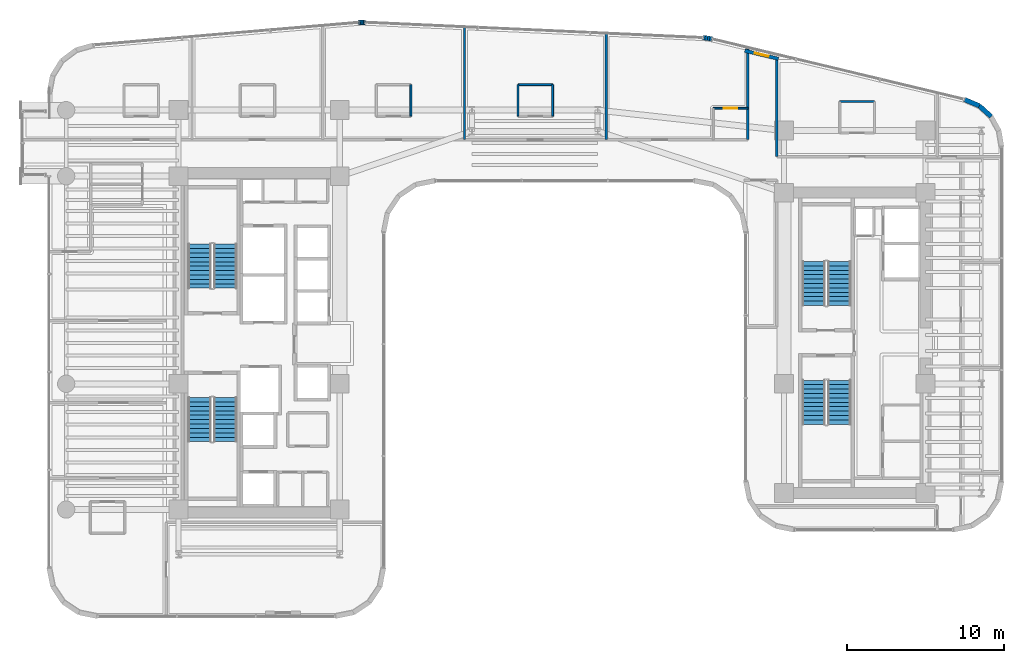
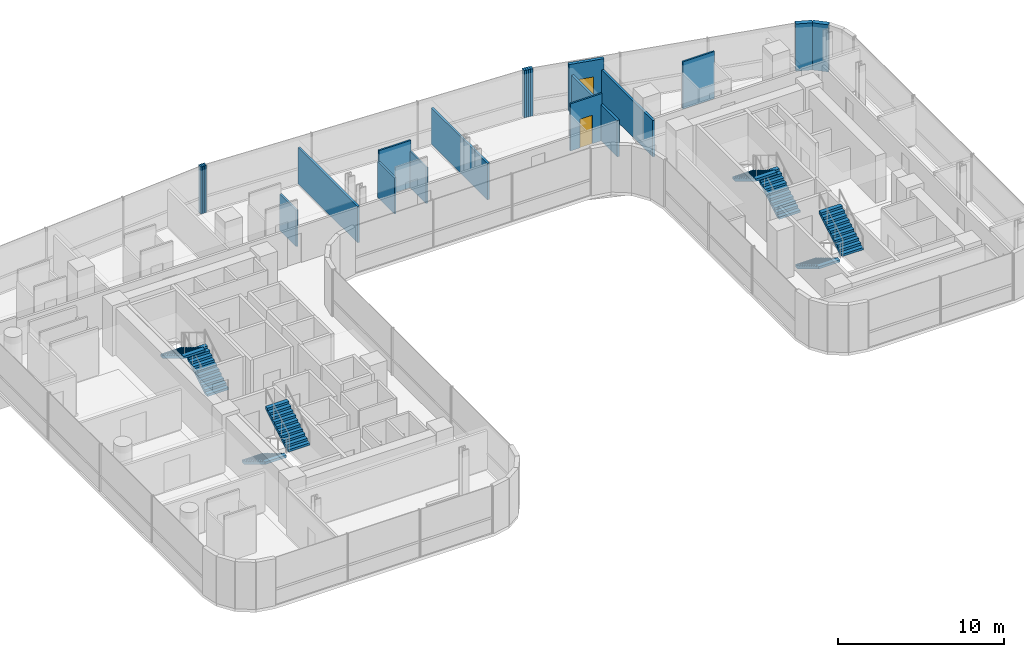
# One storey, part 31 of 35: 21 walls, 8 stair flights, 1 door, 1 window, 2 openings, 4 elements without a shape of their own.
"""IFC4 building model written with IfcOpenShell, lengths in metres."""

import ifcopenshell
import ifcopenshell.guid

model = None  # the IFC model being written
_history = None  # IfcOwnerHistory: only IFC2X3 demands one
_inside = {}  # id of a spatial element -> (the spatial element, [elements in it])
_under = {}  # id of a project, library or spatial element -> (it, [spatial elements below it])
_declared = {}  # id of a project -> (the project, [libraries it declares])
_typed = {}  # id of a type object -> (the type object, [elements of that type])
_made_of = {}  # id of a material, layer set ... -> (it, [elements and type objects made of it])


def new_model(schema):
    """Start an empty IFC model of exactly this schema.

    Asked for "IFC4X3", IfcOpenShell would pick the latest addendum, in which some entities
    have other attributes; the version numbers below select the first issue.
    IFC2X3 requires an IfcOwnerHistory on every rooted entity: one is made here for all.
    """
    global model, _history
    if schema == "IFC4X3":
        model = ifcopenshell.file(schema_version=(4, 3, 0, 0))
    else:
        model = ifcopenshell.file(schema=schema)
    _inside.clear()
    _under.clear()
    _declared.clear()
    _typed.clear()
    _made_of.clear()
    _history = None
    if model.schema == "IFC2X3":
        org = make("IfcOrganization", Name="unknown")
        user = make(
            "IfcPersonAndOrganization",
            ThePerson=make("IfcPerson", FamilyName="unknown"),
            TheOrganization=org,
        )
        app = make(
            "IfcApplication",
            ApplicationDeveloper=org,
            Version="unknown",
            ApplicationFullName="unknown",
            ApplicationIdentifier="unknown",
        )
        _history = make(
            "IfcOwnerHistory",
            OwningUser=user,
            OwningApplication=app,
            ChangeAction="ADDED",
            CreationDate=0,
        )
    return model


def make(cls, **values):
    """One entity of the class cls with the attributes given. An attribute that is None is left unset."""
    return model.create_entity(
        cls, **{name: value for name, value in values.items() if value is not None}
    )


def rooted(cls, **values):
    """An entity with a GlobalId (a new one), such as an element, a storey or a relation."""
    return make(cls, GlobalId=ifcopenshell.guid.new(), OwnerHistory=_history, **values)


def si_unit(unit_type, name, prefix=None):
    """IfcSIUnit, for example si_unit("LENGTHUNIT", "METRE", prefix="MILLI")."""
    return make("IfcSIUnit", UnitType=unit_type, Prefix=prefix, Name=name)


def assignment(units):
    """IfcUnitAssignment: the units of a project."""
    return None if units is None else make("IfcUnitAssignment", Units=units)


def point(xyz):
    """IfcCartesianPoint."""
    return None if xyz is None else make("IfcCartesianPoint", Coordinates=xyz)


def direction(xyz):
    """IfcDirection."""
    return None if xyz is None else make("IfcDirection", DirectionRatios=xyz)


def frame(location, z_axis=None, x_axis=None):
    """IfcAxis2Placement3D, a coordinate frame: its origin and axes. An axis left out is left unset."""
    return make(
        "IfcAxis2Placement3D",
        Location=point(location),
        Axis=direction(z_axis),
        RefDirection=direction(x_axis),
    )


def frame_2d(location, x_axis=None):
    """IfcAxis2Placement2D, a coordinate frame in the plane: its origin and x axis."""
    return make(
        "IfcAxis2Placement2D", Location=point(location), RefDirection=direction(x_axis)
    )


def origin():
    """The frame at (0, 0, 0) with its axes left unset."""
    return frame((0.0, 0.0, 0.0))


def place(relative_to, where):
    """IfcLocalPlacement: puts the frame where relative to a parent placement (None: the world)."""
    return make(
        "IfcLocalPlacement", PlacementRelTo=relative_to, RelativePlacement=where
    )


def context(
    kind, dimensions, precision=None, world=None, true_north=None, identifier=None
):
    """IfcGeometricRepresentationContext, for example the 3D "Model" context."""
    return make(
        "IfcGeometricRepresentationContext",
        ContextIdentifier=identifier,
        ContextType=kind,
        CoordinateSpaceDimension=dimensions,
        Precision=precision,
        WorldCoordinateSystem=world,
        TrueNorth=true_north,
    )


def subcontext(parent, identifier, kind, view, scale=None):
    """IfcGeometricRepresentationSubContext, for example "Body" below "Model"."""
    return make(
        "IfcGeometricRepresentationSubContext",
        ContextIdentifier=identifier,
        ContextType=kind,
        ParentContext=parent,
        TargetScale=scale,
        TargetView=view,
    )


def project(units=None, contexts=None):
    """IfcProject with its units and contexts."""
    return rooted(
        "IfcProject",
        Name="project",
        RepresentationContexts=contexts,
        UnitsInContext=assignment(units),
    )


def spatial(cls, under=None, at=None, **own):
    """A site, building, storey or space (cls), placed at a placement, below another one or the project."""
    s = rooted(cls, ObjectPlacement=at, **own)
    if under is not None:
        _under.setdefault(under.id(), (under, []))[1].append(s)
    return s


def polyline(points):
    """IfcPolyline through the points."""
    return make("IfcPolyline", Points=[point(p) for p in points])


def profile(cls, at=None, kind="AREA", **sizes):
    """A parametric profile (cls). Its sizes go by their IFC names, for example OverallWidth=200.0."""
    return make(cls, ProfileType=kind, Position=at, **sizes)


def rectangle(**sizes):
    """IfcRectangleProfileDef."""
    return profile("IfcRectangleProfileDef", **sizes)


def outline(outer, holes=None, kind="AREA"):
    """IfcArbitraryClosedProfileDef: a profile drawn as a closed curve; with holes, ...WithVoids."""
    if holes is None:
        return make("IfcArbitraryClosedProfileDef", ProfileType=kind, OuterCurve=outer)
    return make(
        "IfcArbitraryProfileDefWithVoids",
        ProfileType=kind,
        OuterCurve=outer,
        InnerCurves=holes,
    )


def extrude(swept, where, along, depth):
    """IfcExtrudedAreaSolid: the profile swept, set in the frame where, extruded along a direction by depth."""
    return make(
        "IfcExtrudedAreaSolid",
        SweptArea=swept,
        Position=where,
        ExtrudedDirection=direction(along),
        Depth=depth,
    )


def shape(context_of_items, identifier, shape_type, items):
    """IfcShapeRepresentation: the items that make up one representation, for example the "Body"."""
    return make(
        "IfcShapeRepresentation",
        ContextOfItems=context_of_items,
        RepresentationIdentifier=identifier,
        RepresentationType=shape_type,
        Items=items,
    )


def material(Name=None, Category=None):
    """IfcMaterial."""
    return make("IfcMaterial", Name=Name, Category=Category)


def layer(
    of_material, thickness, ventilated=None, Name=None, Category=None, Priority=None
):
    """IfcMaterialLayer: one layer of a wall or slab, of a material (None: an air gap)."""
    return make(
        "IfcMaterialLayer",
        Material=of_material,
        LayerThickness=thickness,
        IsVentilated=ventilated,
        Name=Name,
        Category=Category,
        Priority=Priority,
    )


def layer_set(layers, Name=None):
    """IfcMaterialLayerSet."""
    return make("IfcMaterialLayerSet", MaterialLayers=layers, LayerSetName=Name)


def made_of(thing, what):
    """Note that an element or type object is made of a material, layer set ...; save() writes the relation."""
    if what is not None:
        _made_of.setdefault(what.id(), (what, []))[1].append(thing)
    return thing


def type_object(cls, material=None, **own):
    """A type object (cls), such as IfcWallType, which elements share."""
    return made_of(rooted(cls, **own), material)


def element(
    cls,
    number,
    at=None,
    inside=None,
    cuts=None,
    type_object=None,
    material=None,
    context=None,
    identifier="Body",
    shape_type=None,
    held_by="IfcProductDefinitionShape",
    body=None,
    shapes=None,
    **own,
):
    """One element of the class cls, such as IfcWall. Its Tag is "e" and its number.

    at: its placement. inside: the storey or other place that contains it. cuts: it is an
    opening in that element (IfcRelVoidsElement). A single representation is given by context,
    identifier, shape_type and body (its items); several are given by shapes. held_by: the class
    of the entity that holds the representations. save() writes the other relations.
    """
    e = rooted(cls, Tag="e%d" % number, ObjectPlacement=at, **own)
    if body is not None:
        shapes = [shape(context, identifier, shape_type, body)]
    if shapes is not None:
        e.Representation = make(held_by, Representations=shapes)
    if inside is not None:
        _inside.setdefault(inside.id(), (inside, []))[1].append(e)
    if cuts is not None:
        rooted(
            "IfcRelVoidsElement", RelatingBuildingElement=cuts, RelatedOpeningElement=e
        )
    if type_object is not None:
        _typed.setdefault(type_object.id(), (type_object, []))[1].append(e)
    return made_of(e, material)


def fill(opening, filler):
    """IfcRelFillsElement: the door or window that sits in an opening."""
    return rooted(
        "IfcRelFillsElement",
        RelatingOpeningElement=opening,
        RelatedBuildingElement=filler,
    )


def aggregate(whole, parts):
    """IfcRelAggregates: a whole, such as a stair, and the parts it consists of."""
    return rooted("IfcRelAggregates", RelatingObject=whole, RelatedObjects=parts)


def save(model, path):
    """Write the relations noted so far, then the file.

    IfcRelAggregates (storeys below a building ...), IfcRelContainedInSpatialStructure (elements
    in a storey), IfcRelDefinesByType, IfcRelAssociatesMaterial and IfcRelDeclares: one each for
    every whole, place, type object, material and project.
    """
    for whole, parts in _under.values():
        aggregate(whole, parts)
    for where, things in _inside.values():
        rooted(
            "IfcRelContainedInSpatialStructure",
            RelatedElements=things,
            RelatingStructure=where,
        )
    for kind, things in _typed.values():
        rooted("IfcRelDefinesByType", RelatedObjects=things, RelatingType=kind)
    for what, things in _made_of.values():
        rooted("IfcRelAssociatesMaterial", RelatedObjects=things, RelatingMaterial=what)
    for by, libraries in _declared.values():
        rooted("IfcRelDeclares", RelatingContext=by, RelatedDefinitions=libraries)
    model.write(path)


model = new_model("IFC4")

# Units and contexts
model_context = context("Model", 3, precision=1e-05, world=origin(), true_north=direction((0.0, 1.0)))
body_context = subcontext(model_context, "Body", "Model", "MODEL_VIEW")
ifc_project = project(units=[si_unit("LENGTHUNIT", "METRE"), si_unit("AREAUNIT", "SQUARE_METRE"), si_unit("VOLUMEUNIT", "CUBIC_METRE"), si_unit("PLANEANGLEUNIT", "RADIAN"), si_unit("MASSUNIT", "GRAM", prefix="KILO")], contexts=[model_context])

# Site, building, storey
site_placement = place(None, origin())
site = spatial("IfcSite", under=ifc_project, at=site_placement, CompositionType="ELEMENT")
building_placement = place(site_placement, origin())
building = spatial("IfcBuilding", under=site, at=building_placement, Name="Valdorenza Pilgrim Sanctuary Tower", CompositionType="ELEMENT")
storey_placement = place(building_placement, frame((0.0, 0.0, 116.800048828125)))
storey = spatial("IfcBuildingStorey", under=building, at=storey_placement, Name="L29", CompositionType="ELEMENT", Elevation=116.800048828125)

# Walls
ifc_material_1 = material(Name="Acoustic twin-stud gypsum partition", Category="gypsum")
ifc_layer_1 = layer(ifc_material_1, 0.159912109375, Name="Acoustic twin-stud gypsum partition")
ifc_layer_set_1 = layer_set([ifc_layer_1], Name="Acoustic twin-stud gypsum partition")
wall_type_1 = type_object("IfcWallType", Name="WAL-COR-160", PredefinedType="PARTITIONING", material=ifc_layer_set_1)
wall_1_placement = place(storey_placement, frame((13.550048828125, 12.919921875, 0.0), z_axis=(0.0, 0.0, 1.0), x_axis=(0.0, 1.0, 0.0)))
element("IfcWall", 1, at=wall_1_placement, inside=storey, type_object=wall_type_1, Name="L29 North Band East Closure", PredefinedType="PARTITIONING", context=body_context, shape_type="SweptSolid", body=[
    extrude(rectangle(XDim=5.856689453125, YDim=0.159912109375, at=frame_2d((2.92822265625, 0.0))), origin(), (0.0, 0.0, 1.0), 2.666015625),
])
wall_2_placement = place(storey_placement, frame((15.39990234375, 11.85009765625, 0.0), z_axis=(0.0, 0.0, 1.0), x_axis=(0.0, 1.0, 0.0)))
element("IfcWall", 2, at=wall_2_placement, inside=storey, type_object=wall_type_1, Name="L29 Wing B North West Wall", PredefinedType="PARTITIONING", context=body_context, shape_type="SweptSolid", body=[
    extrude(rectangle(XDim=6.14990234375, YDim=0.159912109375, at=frame_2d((3.074951171875, 0.0))), origin(), (0.0, 0.0, 1.0), 2.666015625),
])
ifc_material_2 = material(Name="Honed travertine limestone", Category="masonry")
ifc_layer_2 = layer(ifc_material_2, 0.300048828125, Name="Honed travertine limestone")
ifc_layer_set_2 = layer_set([ifc_layer_2], Name="Honed travertine limestone")
wall_type_2 = type_object("IfcWallType", Name="WAL-EXT-300", PredefinedType="SOLIDWALL", material=ifc_layer_set_2)
wall_3_placement = place(storey_placement, frame((-11.199462890625, 20.37255859375, 0.0), z_axis=(0.0, 0.0, 1.0), x_axis=(0.997567332166, 0.069709524416, 0.0)))
element("IfcWall", 3, at=wall_3_placement, inside=storey, type_object=wall_type_2, Name="L29 Rounded Wind-Corner Stone Pier 7", PredefinedType="SOLIDWALL", context=body_context, shape_type="SweptSolid", body=[
    extrude(rectangle(XDim=0.1015625, YDim=0.300048828125, at=frame_2d((0.05078125, 0.0))), origin(), (0.0, 0.0, 1.0), 3.4599609375),
])
wall_4_placement = place(storey_placement, frame((-11.09814453125, 20.379638671875, 0.0), z_axis=(0.0, 0.0, 1.0), x_axis=(0.999334672785, 0.03647206835, 0.0)))
element("IfcWall", 4, at=wall_4_placement, inside=storey, type_object=wall_type_2, Name="L29 Rounded Wind-Corner Stone Pier 8", PredefinedType="SOLIDWALL", context=body_context, shape_type="SweptSolid", body=[
    extrude(rectangle(XDim=0.100341796875, YDim=0.300048828125, at=frame_2d((0.05029296875, 0.0))), origin(), (0.0, 0.0, 1.0), 3.4599609375),
])
wall_5_placement = place(storey_placement, frame((-10.997802734375, 20.38330078125, 0.0), z_axis=(0.0, 0.0, 1.0), x_axis=(0.999997054401, 0.002427177317, 0.0)))
element("IfcWall", 5, at=wall_5_placement, inside=storey, type_object=wall_type_2, Name="L29 Rounded Wind-Corner Stone Pier 9", PredefinedType="SOLIDWALL", context=body_context, shape_type="SweptSolid", body=[
    extrude(rectangle(XDim=0.1005859375, YDim=0.300048828125, at=frame_2d((0.05029296875, 0.0))), origin(), (0.0, 0.0, 1.0), 3.4599609375),
])
wall_6_placement = place(storey_placement, frame((-10.897216796875, 20.383544921875, 0.0), z_axis=(0.0, 0.0, 1.0), x_axis=(0.999584209171, -0.02883415988, 0.0)))
element("IfcWall", 6, at=wall_6_placement, inside=storey, type_object=wall_type_2, Name="L29 Rounded Wind-Corner Stone Pier 10", PredefinedType="SOLIDWALL", context=body_context, shape_type="SweptSolid", body=[
    extrude(rectangle(XDim=0.1015625, YDim=0.300048828125, at=frame_2d((0.05078125, 0.0))), origin(), (0.0, 0.0, 1.0), 3.4599609375),
])
wall_7_placement = place(storey_placement, frame((10.68994140625, 19.404052734375, 0.0), z_axis=(0.0, 0.0, 1.0), x_axis=(0.99758310784, -0.069483400546, 0.0)))
element("IfcWall", 7, at=wall_7_placement, inside=storey, type_object=wall_type_2, Name="L29 Rounded Wind-Corner Stone Pier 12", PredefinedType="SOLIDWALL", context=body_context, shape_type="SweptSolid", body=[
    extrude(rectangle(XDim=0.1474609375, YDim=0.300048828125, at=frame_2d((0.07373046875, 0.0))), origin(), (0.0, 0.0, 1.0), 3.4599609375),
])
for number, where, z_axis, x_axis, name in (
    (8, (10.837158203125, 19.393798828125, 0.0), (0.0, 0.0, 1.0), (0.993173334962, -0.116647874912, 0.0), "L29 Rounded Wind-Corner Stone Pier 13"),
    (9, (10.982666015625, 19.376708984375, 0.0), (0.0, 0.0, 1.0), (0.986573494681, -0.163317909592, 0.0), "L29 Rounded Wind-Corner Stone Pier 14"),
):
    element("IfcWall", number, at=place(storey_placement, frame(where, z_axis=z_axis, x_axis=x_axis)), inside=storey, type_object=wall_type_2, Name=name, PredefinedType="SOLIDWALL", context=body_context, shape_type="SweptSolid", body=[
        extrude(rectangle(XDim=0.146484375, YDim=0.300048828125, at=frame_2d((0.0732421875, 0.0))), origin(), (0.0, 0.0, 1.0), 3.4599609375),
    ])
wall_8_placement = place(storey_placement, frame((11.127197265625, 19.352783203125, 0.0), z_axis=(0.0, 0.0, 1.0), x_axis=(0.978019841688, -0.208511844421, 0.0)))
element("IfcWall", 10, at=wall_8_placement, inside=storey, type_object=wall_type_2, Name="L29 Rounded Wind-Corner Stone Pier 15", PredefinedType="SOLIDWALL", context=body_context, shape_type="SweptSolid", body=[
    extrude(rectangle(XDim=0.1474609375, YDim=0.300048828125, at=frame_2d((0.07373046875, 0.0))), origin(), (0.0, 0.0, 1.0), 3.4599609375),
])

# Wall, opening, window
wall_9_placement = place(storey_placement, frame((13.355224609375, 18.576416015625, 0.0), z_axis=(0.0, 0.0, 1.0), x_axis=(0.97252211384, -0.232810519721, 0.0)))
wall_9 = element("IfcWall", 11, at=wall_9_placement, inside=storey, type_object=wall_type_2, Name="L29 Operable Ventilation Sash Jamb Pier", PredefinedType="SOLIDWALL", context=body_context, shape_type="SweptSolid", body=[
    extrude(rectangle(XDim=2.2001953125, YDim=0.219970703125, at=frame_2d((1.10009765625, 0.0))), origin(), (0.0, 0.0, 1.0), 3.4599609375),
])
opening_1_placement = place(wall_9_placement, frame((0.64990234375, 0.0, 0.949951171875)))
opening_1 = element("IfcOpeningElement", 12, at=opening_1_placement, cuts=wall_9, Name="Opening WN-OP1", PredefinedType="OPENING", context=body_context, shape_type="SweptSolid", body=[
    extrude(rectangle(XDim=0.89990234375, YDim=1.300048828125, at=frame_2d((0.449951171875, 0.64990234375))), frame((0.0, 0.125, 0.0), z_axis=(0.0, -1.0, 0.0), x_axis=(1.0, 0.0, 0.0)), (0.0, 0.0, 1.0), 0.249755859375),
])
ifc_material_3 = material(Name="Ceramic-fritted low-E IGU glazing", Category="glass")
window_type = type_object("IfcWindowType", Name="WIN-OPN-900", PartitioningType="SINGLE_PANEL", PredefinedType="WINDOW", material=ifc_material_3)
window_placement = place(opening_1_placement, origin())
window = element("IfcWindow", 13, at=window_placement, inside=storey, type_object=window_type, Name="L29 Parallel-Pop-Out Operable Facade Panel", OverallHeight=1.300048828125, OverallWidth=0.89990234375, PartitioningType="SINGLE_PANEL", PredefinedType="WINDOW", context=body_context, shape_type="SweptSolid", body=[
    extrude(rectangle(XDim=0.89990234375, YDim=1.300048828125, at=frame_2d((0.449951171875, 0.64990234375))), frame((0.0, 0.030029296875, 0.0), z_axis=(0.0, -1.0, 0.0), x_axis=(1.0, 0.0, 0.0)), (0.0, 0.0, 1.0), 0.06005859375),
])
fill(opening_1, window)

# Walls
wall_10_placement = place(storey_placement, frame((27.310302734375, 15.48291015625, 0.0), z_axis=(0.0, 0.0, 1.0), x_axis=(0.920250328759, -0.391330208927, 0.0)))
element("IfcWall", 14, at=wall_10_placement, inside=storey, type_object=wall_type_2, Name="L29 Rounded Wind-Corner Stone Pier 17", PredefinedType="SOLIDWALL", context=body_context, shape_type="SweptSolid", body=[
    extrude(rectangle(XDim=1.0361328125, YDim=0.300048828125, at=frame_2d((0.51806640625, 0.0))), origin(), (0.0, 0.0, 1.0), 3.4599609375),
])
wall_11_placement = place(storey_placement, frame((28.263916015625, 15.077392578125, 0.0), z_axis=(0.0, 0.0, 1.0), x_axis=(0.741208839713, -0.671274501178, 0.0)))
element("IfcWall", 15, at=wall_11_placement, inside=storey, type_object=wall_type_2, Name="L29 Rounded Wind-Corner Stone Pier 18", PredefinedType="SOLIDWALL", context=body_context, shape_type="SweptSolid", body=[
    extrude(rectangle(XDim=1.0263671875, YDim=0.300048828125, at=frame_2d((0.51318359375, 0.0))), origin(), (0.0, 0.0, 1.0), 3.4599609375),
])
ifc_material_4 = material(Name="Moisture-resistant gypsum partition", Category="gypsum")
ifc_layer_3 = layer(ifc_material_4, 0.1201171875, Name="Moisture-resistant gypsum partition")
ifc_layer_set_3 = layer_set([ifc_layer_3], Name="Moisture-resistant gypsum partition")
wall_type_3 = type_object("IfcWallType", Name="WAL-INT-120", PredefinedType="PARTITIONING", material=ifc_layer_set_3)
for number, where, z_axis, x_axis, name in (
    (16, (-7.875, 14.419921875, 0.0), (0.0, 0.0, 1.0), (0.0, 1.0, 0.0), "L29 North Guest Room L29-N3 En-suite East Wall"),
    (17, (-1.06494140625, 14.419921875, 0.0), (0.0, 0.0, 1.0), (0.0, 1.0, 0.0), "L29 North Guest Room L29-N4 En-suite West Wall"),
    (18, (1.135009765625, 14.419921875, 0.0), (0.0, 0.0, 1.0), (0.0, 1.0, 0.0), "L29 North Guest Room L29-N4 En-suite East Wall"),
):
    element("IfcWall", number, at=place(storey_placement, frame(where, z_axis=z_axis, x_axis=x_axis)), inside=storey, type_object=wall_type_3, Name=name, PredefinedType="PARTITIONING", context=body_context, shape_type="SweptSolid", body=[
        extrude(rectangle(XDim=2.0, YDim=0.1201171875, at=frame_2d((1.0, 0.0))), origin(), (0.0, 0.0, 1.0), 2.666015625),
    ])
wall_12_placement = place(storey_placement, frame((-1.06494140625, 16.419921875, 0.0), z_axis=(0.0, 0.0, 1.0), x_axis=(1.0, 0.0, 0.0)))
element("IfcWall", 19, at=wall_12_placement, inside=storey, type_object=wall_type_3, Name="L29 North Guest Room L29-N4 En-suite Back Wall", PredefinedType="PARTITIONING", context=body_context, shape_type="SweptSolid", body=[
    extrude(rectangle(XDim=2.199951171875, YDim=0.1201171875, at=frame_2d((1.10009765625, 0.0))), origin(), (0.0, 0.0, 1.0), 3.4599609375),
])

# Wall, opening, door
wall_13_placement = place(storey_placement, frame((11.35009765625, 14.919921875, 0.0), z_axis=(0.0, 0.0, 1.0), x_axis=(1.0, 0.0, 0.0)))
wall_13 = element("IfcWall", 20, at=wall_13_placement, inside=storey, type_object=wall_type_3, Name="L29 North Guest Room L29-N5 En-suite Door Wall", PredefinedType="PARTITIONING", context=body_context, shape_type="SweptSolid", body=[
    extrude(rectangle(XDim=2.199951171875, YDim=0.1201171875, at=frame_2d((1.10009765625, 0.0))), origin(), (0.0, 0.0, 1.0), 3.4599609375),
])
opening_2_placement = place(wall_13_placement, frame((0.675048828125, 0.0, 0.0)))
opening_2 = element("IfcOpeningElement", 21, at=opening_2_placement, cuts=wall_13, Name="Opening DR-WC1", PredefinedType="OPENING", context=body_context, shape_type="SweptSolid", body=[
    extrude(rectangle(XDim=0.85009765625, YDim=2.10009765625, at=frame_2d((0.425048828125, 1.050048828125))), frame((0.0, 0.074951171875, 0.0), z_axis=(0.0, -1.0, 0.0), x_axis=(1.0, 0.0, 0.0)), (0.0, 0.0, 1.0), 0.14990234375),
])
ifc_material_5 = material(Name="Moisture-resistant lacquered timber", Category="wood")
door_type = type_object("IfcDoorType", Name="DR-BATH-850", OperationType="NOTDEFINED", PredefinedType="DOOR", material=ifc_material_5)
door_placement = place(opening_2_placement, origin())
door = element("IfcDoor", 22, at=door_placement, inside=storey, type_object=door_type, Name="L29 North Guest Room L29-N5 En-suite Bathroom Door", OperationType="SINGLE_SWING_RIGHT", OverallHeight=2.10009765625, OverallWidth=0.85009765625, PredefinedType="DOOR", context=body_context, shape_type="SweptSolid", body=[
    extrude(rectangle(XDim=0.85009765625, YDim=2.10009765625, at=frame_2d((0.425048828125, 1.050048828125))), frame((0.0, 0.02490234375, 0.0), z_axis=(0.0, -1.0, 0.0), x_axis=(1.0, 0.0, 0.0)), (0.0, 0.0, 1.0), 0.050048828125),
])
fill(opening_2, door)

# Walls
wall_14_placement = place(storey_placement, frame((19.39990234375, 15.35009765625, 0.0), z_axis=(0.0, 0.0, 1.0), x_axis=(1.0, 0.0, 0.0)))
element("IfcWall", 23, at=wall_14_placement, inside=storey, type_object=wall_type_3, Name="L29 East North Guest Room L29-EN1 En-suite Back Wall", PredefinedType="PARTITIONING", context=body_context, shape_type="SweptSolid", body=[
    extrude(rectangle(XDim=2.2001953125, YDim=0.1201171875, at=frame_2d((1.10009765625, 0.0))), origin(), (0.0, 0.0, 1.0), 3.4599609375),
])
ifc_layer_4 = layer(ifc_material_1, 0.14990234375, Name="Acoustic twin-stud gypsum partition")
ifc_layer_set_4 = layer_set([ifc_layer_4], Name="Acoustic twin-stud gypsum partition")
wall_type_4 = type_object("IfcWallType", Name="WAL-UNT-150", PredefinedType="PARTITIONING", material=ifc_layer_set_4)
wall_15_placement = place(storey_placement, frame((-4.469970703125, 12.919921875, 0.0), z_axis=(0.0, 0.0, 1.0), x_axis=(0.0, 1.0, 0.0)))
element("IfcWall", 24, at=wall_15_placement, inside=storey, type_object=wall_type_4, Name="L29 North Demising 3", PredefinedType="PARTITIONING", context=body_context, shape_type="SweptSolid", body=[
    extrude(rectangle(XDim=7.173095703125, YDim=0.14990234375, at=frame_2d((3.58642578125, 0.0))), origin(), (0.0, 0.0, 1.0), 2.666015625),
])
wall_16_placement = place(storey_placement, frame((4.5400390625, 12.919921875, 0.0), z_axis=(0.0, 0.0, 1.0), x_axis=(0.0, 1.0, 0.0)))
element("IfcWall", 25, at=wall_16_placement, inside=storey, type_object=wall_type_4, Name="L29 North Demising 4", PredefinedType="PARTITIONING", context=body_context, shape_type="SweptSolid", body=[
    extrude(rectangle(XDim=6.763671875, YDim=0.14990234375, at=frame_2d((3.3818359375, 0.0))), origin(), (0.0, 0.0, 1.0), 2.666015625),
])

# Stair, stair flights
ifc_material_6 = material(Name="Concrete C40/50", Category="concrete")
stair_type = type_object("IfcStairType", Name="STR-DOG-CORE", PredefinedType="HALF_TURN_STAIR", material=ifc_material_6)
stair_1_placement = place(storey_placement, origin())
stair_1 = element("IfcStair", 26, at=stair_1_placement, inside=storey, type_object=stair_type, Name="L29 ST-A1", PredefinedType="HALF_TURN_STAIR")
stair_flight_type = type_object("IfcStairFlightType", Name="STF-RC-1400", PredefinedType="STRAIGHT", material=ifc_material_6)
stair_flight_1_placement = place(storey_placement, frame((-19.679931640625, 3.47998046875, 0.0), z_axis=(0.0, 0.0, 1.0), x_axis=(0.0, 1.0, 0.0)))
stair_flight_1 = element("IfcStairFlight", 27, at=stair_flight_1_placement, type_object=stair_flight_type, Name="ST-A1 flight 1", NumberOfRisers=11, NumberOfTreads=10, PredefinedType="STRAIGHT", RiserHeight=0.168181818, TreadLength=0.28, context=body_context, shape_type="SweptSolid", body=[
    extrude(outline(polyline([(0.0, 0.0), (0.0, 0.168212890625), (0.280029296875, 0.168212890625), (0.280029296875, 0.33642578125), (0.56005859375, 0.33642578125), (0.56005859375, 0.504638671875), (0.840087890625, 0.504638671875), (0.840087890625, 0.672607421875), (1.1201171875, 0.672607421875), (1.1201171875, 0.8408203125), (1.39990234375, 0.8408203125), (1.39990234375, 1.009033203125), (1.679931640625, 1.009033203125), (1.679931640625, 1.17724609375), (1.9599609375, 1.17724609375), (1.9599609375, 1.345458984375), (2.239990234375, 1.345458984375), (2.239990234375, 1.513671875), (2.52001953125, 1.513671875), (2.52001953125, 1.681884765625), (2.800048828125, 1.681884765625), (2.800048828125, 1.85009765625), (2.800048828125, 1.5068359375), (0.291015625, 0.0), (0.0, 0.0)])), frame((0.0, 0.739990234375, 0.0), z_axis=(0.0, -1.0, 0.0), x_axis=(1.0, 0.0, 0.0)), (0.0, 0.0, 1.0), 1.47998046875),
])
stair_flight_2_placement = place(storey_placement, frame((-21.31005859375, 6.280029296875, 1.849853515625), z_axis=(0.0, 0.0, 1.0), x_axis=(0.0, -1.0, 0.0)))
stair_flight_2 = element("IfcStairFlight", 28, at=stair_flight_2_placement, type_object=stair_flight_type, Name="ST-A1 flight 2", NumberOfRisers=11, NumberOfTreads=10, PredefinedType="STRAIGHT", RiserHeight=0.168181818, TreadLength=0.28, context=body_context, shape_type="SweptSolid", body=[
    extrude(outline(polyline([(0.0, 0.0), (0.0, 0.168212890625), (0.280029296875, 0.168212890625), (0.280029296875, 0.33642578125), (0.56005859375, 0.33642578125), (0.56005859375, 0.504638671875), (0.840087890625, 0.504638671875), (0.840087890625, 0.672607421875), (1.1201171875, 0.672607421875), (1.1201171875, 0.8408203125), (1.39990234375, 0.8408203125), (1.39990234375, 1.009033203125), (1.679931640625, 1.009033203125), (1.679931640625, 1.17724609375), (1.9599609375, 1.17724609375), (1.9599609375, 1.345458984375), (2.239990234375, 1.345458984375), (2.239990234375, 1.513671875), (2.52001953125, 1.513671875), (2.52001953125, 1.681884765625), (2.800048828125, 1.681884765625), (2.800048828125, 1.85009765625), (2.800048828125, 1.5068359375), (0.291015625, 0.0), (0.0, 0.0)])), frame((0.0, 0.739990234375, 0.0), z_axis=(0.0, -1.0, 0.0), x_axis=(1.0, 0.0, 0.0)), (0.0, 0.0, 1.0), 1.47998046875),
])
aggregate(stair_1, [stair_flight_1, stair_flight_2])

stair_2_placement = place(storey_placement, origin())
stair_2 = element("IfcStair", 29, at=stair_2_placement, inside=storey, type_object=stair_type, Name="L29 ST-A2", PredefinedType="HALF_TURN_STAIR")
stair_flight_3_placement = place(storey_placement, frame((-21.31005859375, -3.47998046875, 0.0), z_axis=(0.0, 0.0, 1.0), x_axis=(0.0, -1.0, 0.0)))
stair_flight_3 = element("IfcStairFlight", 30, at=stair_flight_3_placement, type_object=stair_flight_type, Name="ST-A2 flight 1", NumberOfRisers=11, NumberOfTreads=10, PredefinedType="STRAIGHT", RiserHeight=0.168181818, TreadLength=0.28, context=body_context, shape_type="SweptSolid", body=[
    extrude(outline(polyline([(0.0, 0.0), (0.0, 0.168212890625), (0.280029296875, 0.168212890625), (0.280029296875, 0.33642578125), (0.56005859375, 0.33642578125), (0.56005859375, 0.504638671875), (0.840087890625, 0.504638671875), (0.840087890625, 0.672607421875), (1.1201171875, 0.672607421875), (1.1201171875, 0.8408203125), (1.39990234375, 0.8408203125), (1.39990234375, 1.009033203125), (1.679931640625, 1.009033203125), (1.679931640625, 1.17724609375), (1.9599609375, 1.17724609375), (1.9599609375, 1.345458984375), (2.239990234375, 1.345458984375), (2.239990234375, 1.513671875), (2.52001953125, 1.513671875), (2.52001953125, 1.681884765625), (2.800048828125, 1.681884765625), (2.800048828125, 1.85009765625), (2.800048828125, 1.5068359375), (0.291015625, 0.0), (0.0, 0.0)])), frame((0.0, 0.739990234375, 0.0), z_axis=(0.0, -1.0, 0.0), x_axis=(1.0, 0.0, 0.0)), (0.0, 0.0, 1.0), 1.47998046875),
])
stair_flight_4_placement = place(storey_placement, frame((-19.679931640625, -6.280029296875, 1.849853515625), z_axis=(0.0, 0.0, 1.0), x_axis=(0.0, 1.0, 0.0)))
stair_flight_4 = element("IfcStairFlight", 31, at=stair_flight_4_placement, type_object=stair_flight_type, Name="ST-A2 flight 2", NumberOfRisers=11, NumberOfTreads=10, PredefinedType="STRAIGHT", RiserHeight=0.168181818, TreadLength=0.28, context=body_context, shape_type="SweptSolid", body=[
    extrude(outline(polyline([(0.0, 0.0), (0.0, 0.168212890625), (0.280029296875, 0.168212890625), (0.280029296875, 0.33642578125), (0.56005859375, 0.33642578125), (0.56005859375, 0.504638671875), (0.840087890625, 0.504638671875), (0.840087890625, 0.672607421875), (1.1201171875, 0.672607421875), (1.1201171875, 0.8408203125), (1.39990234375, 0.8408203125), (1.39990234375, 1.009033203125), (1.679931640625, 1.009033203125), (1.679931640625, 1.17724609375), (1.9599609375, 1.17724609375), (1.9599609375, 1.345458984375), (2.239990234375, 1.345458984375), (2.239990234375, 1.513671875), (2.52001953125, 1.513671875), (2.52001953125, 1.681884765625), (2.800048828125, 1.681884765625), (2.800048828125, 1.85009765625), (2.800048828125, 1.5068359375), (0.291015625, 0.0), (0.0, 0.0)])), frame((0.0, 0.739990234375, 0.0), z_axis=(0.0, -1.0, 0.0), x_axis=(1.0, 0.0, 0.0)), (0.0, 0.0, 1.0), 1.47998046875),
])
aggregate(stair_2, [stair_flight_3, stair_flight_4])

stair_3_placement = place(storey_placement, origin())
stair_3 = element("IfcStair", 32, at=stair_3_placement, inside=storey, type_object=stair_type, Name="L29 ST-B1", PredefinedType="HALF_TURN_STAIR")
stair_flight_5_placement = place(storey_placement, frame((19.3701171875, 2.3798828125, 0.0), z_axis=(0.0, 0.0, 1.0), x_axis=(0.0, 1.0, 0.0)))
stair_flight_5 = element("IfcStairFlight", 33, at=stair_flight_5_placement, type_object=stair_flight_type, Name="ST-B1 flight 1", NumberOfRisers=11, NumberOfTreads=10, PredefinedType="STRAIGHT", RiserHeight=0.168181818, TreadLength=0.28, context=body_context, shape_type="SweptSolid", body=[
    extrude(outline(polyline([(0.0, 0.0), (0.0, 0.168212890625), (0.280029296875, 0.168212890625), (0.280029296875, 0.33642578125), (0.56005859375, 0.33642578125), (0.56005859375, 0.504638671875), (0.840087890625, 0.504638671875), (0.840087890625, 0.672607421875), (1.1201171875, 0.672607421875), (1.1201171875, 0.8408203125), (1.39990234375, 0.8408203125), (1.39990234375, 1.009033203125), (1.679931640625, 1.009033203125), (1.679931640625, 1.17724609375), (1.9599609375, 1.17724609375), (1.9599609375, 1.345458984375), (2.239990234375, 1.345458984375), (2.239990234375, 1.513671875), (2.52001953125, 1.513671875), (2.52001953125, 1.681884765625), (2.800048828125, 1.681884765625), (2.800048828125, 1.85009765625), (2.800048828125, 1.5068359375), (0.291015625, 0.0), (0.0, 0.0)])), frame((0.0, 0.739990234375, 0.0), z_axis=(0.0, -1.0, 0.0), x_axis=(1.0, 0.0, 0.0)), (0.0, 0.0, 1.0), 1.47998046875),
])
stair_flight_6_placement = place(storey_placement, frame((17.739990234375, 5.179931640625, 1.849853515625), z_axis=(0.0, 0.0, 1.0), x_axis=(0.0, -1.0, 0.0)))
stair_flight_6 = element("IfcStairFlight", 34, at=stair_flight_6_placement, type_object=stair_flight_type, Name="ST-B1 flight 2", NumberOfRisers=11, NumberOfTreads=10, PredefinedType="STRAIGHT", RiserHeight=0.168181818, TreadLength=0.28, context=body_context, shape_type="SweptSolid", body=[
    extrude(outline(polyline([(0.0, 0.0), (0.0, 0.168212890625), (0.280029296875, 0.168212890625), (0.280029296875, 0.33642578125), (0.56005859375, 0.33642578125), (0.56005859375, 0.504638671875), (0.840087890625, 0.504638671875), (0.840087890625, 0.672607421875), (1.1201171875, 0.672607421875), (1.1201171875, 0.8408203125), (1.39990234375, 0.8408203125), (1.39990234375, 1.009033203125), (1.679931640625, 1.009033203125), (1.679931640625, 1.17724609375), (1.9599609375, 1.17724609375), (1.9599609375, 1.345458984375), (2.239990234375, 1.345458984375), (2.239990234375, 1.513671875), (2.52001953125, 1.513671875), (2.52001953125, 1.681884765625), (2.800048828125, 1.681884765625), (2.800048828125, 1.85009765625), (2.800048828125, 1.5068359375), (0.291015625, 0.0), (0.0, 0.0)])), frame((0.0, 0.739990234375, 0.0), z_axis=(0.0, -1.0, 0.0), x_axis=(1.0, 0.0, 0.0)), (0.0, 0.0, 1.0), 1.47998046875),
])
aggregate(stair_3, [stair_flight_5, stair_flight_6])

stair_4_placement = place(storey_placement, origin())
stair_4 = element("IfcStair", 35, at=stair_4_placement, inside=storey, type_object=stair_type, Name="L29 ST-B2", PredefinedType="HALF_TURN_STAIR")
stair_flight_7_placement = place(storey_placement, frame((17.739990234375, -2.3798828125, 0.0), z_axis=(0.0, 0.0, 1.0), x_axis=(0.0, -1.0, 0.0)))
stair_flight_7 = element("IfcStairFlight", 36, at=stair_flight_7_placement, type_object=stair_flight_type, Name="ST-B2 flight 1", NumberOfRisers=11, NumberOfTreads=10, PredefinedType="STRAIGHT", RiserHeight=0.168181818, TreadLength=0.28, context=body_context, shape_type="SweptSolid", body=[
    extrude(outline(polyline([(0.0, 0.0), (0.0, 0.168212890625), (0.280029296875, 0.168212890625), (0.280029296875, 0.33642578125), (0.56005859375, 0.33642578125), (0.56005859375, 0.504638671875), (0.840087890625, 0.504638671875), (0.840087890625, 0.672607421875), (1.1201171875, 0.672607421875), (1.1201171875, 0.8408203125), (1.39990234375, 0.8408203125), (1.39990234375, 1.009033203125), (1.679931640625, 1.009033203125), (1.679931640625, 1.17724609375), (1.9599609375, 1.17724609375), (1.9599609375, 1.345458984375), (2.239990234375, 1.345458984375), (2.239990234375, 1.513671875), (2.52001953125, 1.513671875), (2.52001953125, 1.681884765625), (2.800048828125, 1.681884765625), (2.800048828125, 1.85009765625), (2.800048828125, 1.5068359375), (0.291015625, 0.0), (0.0, 0.0)])), frame((0.0, 0.739990234375, 0.0), z_axis=(0.0, -1.0, 0.0), x_axis=(1.0, 0.0, 0.0)), (0.0, 0.0, 1.0), 1.47998046875),
])
stair_flight_8_placement = place(storey_placement, frame((19.3701171875, -5.179931640625, 1.849853515625), z_axis=(0.0, 0.0, 1.0), x_axis=(0.0, 1.0, 0.0)))
stair_flight_8 = element("IfcStairFlight", 37, at=stair_flight_8_placement, type_object=stair_flight_type, Name="ST-B2 flight 2", NumberOfRisers=11, NumberOfTreads=10, PredefinedType="STRAIGHT", RiserHeight=0.168181818, TreadLength=0.28, context=body_context, shape_type="SweptSolid", body=[
    extrude(outline(polyline([(0.0, 0.0), (0.0, 0.168212890625), (0.280029296875, 0.168212890625), (0.280029296875, 0.33642578125), (0.56005859375, 0.33642578125), (0.56005859375, 0.504638671875), (0.840087890625, 0.504638671875), (0.840087890625, 0.672607421875), (1.1201171875, 0.672607421875), (1.1201171875, 0.8408203125), (1.39990234375, 0.8408203125), (1.39990234375, 1.009033203125), (1.679931640625, 1.009033203125), (1.679931640625, 1.17724609375), (1.9599609375, 1.17724609375), (1.9599609375, 1.345458984375), (2.239990234375, 1.345458984375), (2.239990234375, 1.513671875), (2.52001953125, 1.513671875), (2.52001953125, 1.681884765625), (2.800048828125, 1.681884765625), (2.800048828125, 1.85009765625), (2.800048828125, 1.5068359375), (0.291015625, 0.0), (0.0, 0.0)])), frame((0.0, 0.739990234375, 0.0), z_axis=(0.0, -1.0, 0.0), x_axis=(1.0, 0.0, 0.0)), (0.0, 0.0, 1.0), 1.47998046875),
])
aggregate(stair_4, [stair_flight_7, stair_flight_8])

save(model, "model.ifc")
